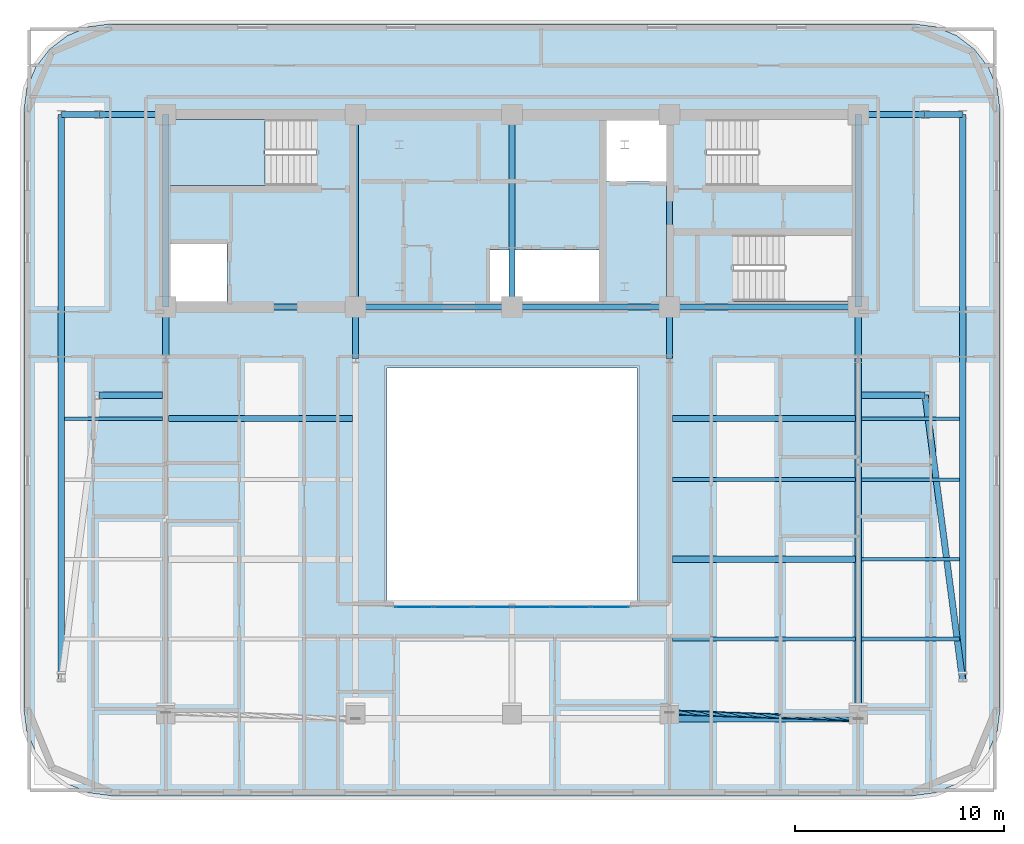
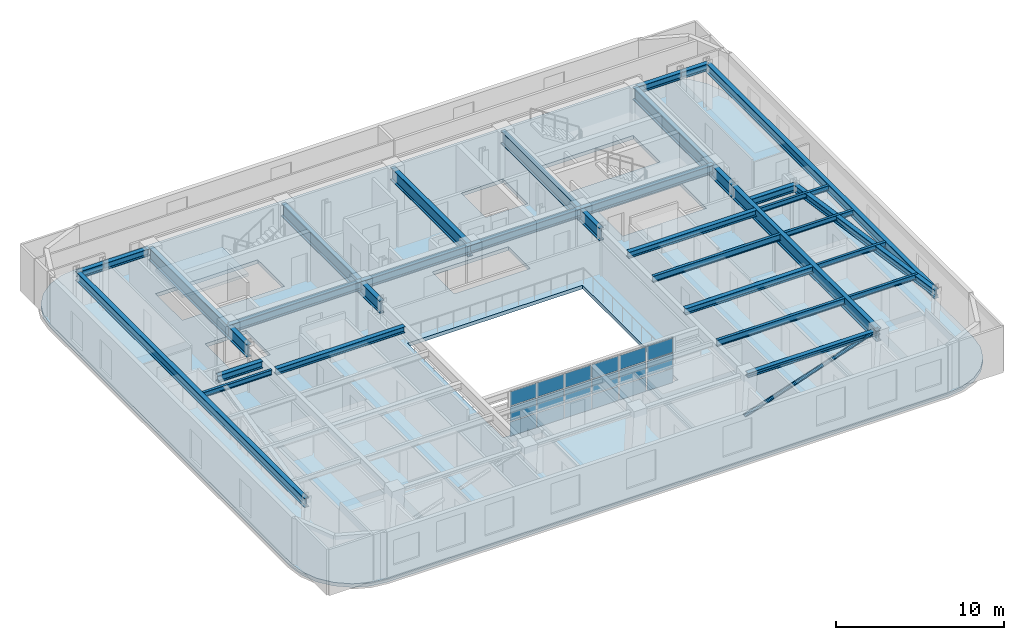
# One storey, part 3 of 15: 34 beams, 18 plates, 2 slabs, 1 member, 2 elements without a shape of their own.
"""IFC4 building model written with IfcOpenShell, lengths in metres."""

from ifc_helpers import new_model, si_unit, direction, frame, origin, origin_2d, place, context, subcontext, project, spatial, polyline, rectangle, hollow_circle, i_section, outline, extrude, material, layer, layer_set, material_profile, profile_set, type_object, element, aggregate, save


model = new_model("IFC4")

# Units and contexts
model_context = context("Model", 3, precision=1e-05, world=origin(), true_north=direction((0.0, 1.0)))
body_context = subcontext(model_context, "Body", "Model", "MODEL_VIEW")
ifc_project = project(units=[si_unit("LENGTHUNIT", "METRE"), si_unit("AREAUNIT", "SQUARE_METRE"), si_unit("VOLUMEUNIT", "CUBIC_METRE"), si_unit("PLANEANGLEUNIT", "RADIAN"), si_unit("MASSUNIT", "GRAM", prefix="KILO")], contexts=[model_context])

# Site, building, storey
site_placement = place(None, origin())
site = spatial("IfcSite", under=ifc_project, at=site_placement, CompositionType="ELEMENT")
building_placement = place(site_placement, origin())
building = spatial("IfcBuilding", under=site, at=building_placement, Name="Zarnavel Station Tower", CompositionType="ELEMENT")
storey_placement = place(building_placement, frame((0.0, 0.0, 196.800048828125)))
storey = spatial("IfcBuildingStorey", under=building, at=storey_placement, Name="L53", CompositionType="ELEMENT", Elevation=196.800048828125)

# Member
ifc_material_1 = material(Name="Steel S355J2", Category="steel")
ifc_material_profile_1 = material_profile(ifc_material_1, hollow_circle(Radius=0.122314453125, WallThickness=0.010009765625, at=origin_2d()), Name="CHS244.5x10")
ifc_profile_set_1 = profile_set([ifc_material_profile_1], Name="Steel S355J2")
member_type = type_object("IfcMemberType", Name="DB_EXT_CHS245", PredefinedType="BRACE", material=ifc_profile_set_1)
member_placement = place(storey_placement, frame((36.35009765625, 8.39404296875, 0.0), z_axis=(0.937689468376, -0.031367620071, 0.346055679491), x_axis=(0.033433332735, 0.999440949863, 0.0)))
element("IfcMember", 1, at=member_placement, inside=storey, type_object=member_type, Name="L53 Persian Exterior Diagonal Frame Brace 2", PredefinedType="BRACE", context=body_context, shape_type="SweptSolid", body=[
    extrude(hollow_circle(Radius=0.122314453125, WallThickness=0.010009765625, at=origin_2d()), origin(), (0.0, 0.0, 1.0), 9.651123046875),
])

# Beams
ifc_material_2 = material(Name="Steel S355J2", Category="steel")
ifc_material_profile_2 = material_profile(ifc_material_2, i_section(OverallWidth=0.300048828125, OverallDepth=0.320068359375, WebThickness=0.011474609375, FlangeThickness=0.0205078125, FilletRadius=0.027099609375, at=origin_2d()), Name="HEB320")
ifc_profile_set_2 = profile_set([ifc_material_profile_2], Name="Steel S355J2")
beam_type_1 = type_object("IfcBeamType", Name="EB_HEB320", PredefinedType="SPANDREL", material=ifc_profile_set_2)
beam_1_placement = place(storey_placement, frame((36.35009765625, 8.09130859375, 3.179931640625), z_axis=(1.0, 0.0, 0.0), x_axis=(0.0, 1.0, 0.0)))
element("IfcBeam", 2, at=beam_1_placement, inside=storey, type_object=beam_type_1, Name="L53 South Raked Spandrel 4", PredefinedType="SPANDREL", context=body_context, shape_type="SweptSolid", body=[
    extrude(i_section(OverallWidth=0.300048828125, OverallDepth=0.320068359375, WebThickness=0.011474609375, FlangeThickness=0.0205078125, FilletRadius=0.027099609375, at=origin_2d()), origin(), (0.0, 0.0, 1.0), 9.0498046875),
])
ifc_material_3 = material(Name="Steel S355J2", Category="steel")
ifc_material_profile_3 = material_profile(ifc_material_3, i_section(OverallWidth=0.300048828125, OverallDepth=0.43994140625, WebThickness=0.011474609375, FlangeThickness=0.02099609375, FilletRadius=0.027099609375, at=origin_2d()), Name="HEA450")
ifc_profile_set_3 = profile_set([ifc_material_profile_3], Name="Steel S355J2")
beam_type_2 = type_object("IfcBeamType", Name="FB_HEA450", PredefinedType="BEAM", material=ifc_profile_set_3)
beam_2_placement = place(storey_placement, frame((36.4951171875, 15.73486328125, 3.119873046875), z_axis=(1.0, 0.0, 0.0), x_axis=(0.0, 1.0, 0.0)))
element("IfcBeam", 3, at=beam_2_placement, inside=storey, type_object=beam_type_2, Name="L53 East Bay Beam 2", PredefinedType="BEAM", context=body_context, shape_type="SweptSolid", body=[
    extrude(i_section(OverallWidth=0.300048828125, OverallDepth=0.43994140625, WebThickness=0.011474609375, FlangeThickness=0.02099609375, FilletRadius=0.027099609375, at=origin_2d()), origin(), (0.0, 0.0, 1.0), 8.759765625),
])
beam_3_placement = place(storey_placement, frame((12.344970703125, 22.478271484375, 3.119873046875), z_axis=(1.0, 0.0, 0.0), x_axis=(0.0, 1.0, 0.0)))
element("IfcBeam", 4, at=beam_3_placement, inside=storey, type_object=beam_type_2, Name="L53 West Bay Beam 4", PredefinedType="BEAM", context=body_context, shape_type="SweptSolid", body=[
    extrude(i_section(OverallWidth=0.300048828125, OverallDepth=0.43994140625, WebThickness=0.011474609375, FlangeThickness=0.02099609375, FilletRadius=0.027099609375, at=origin_2d()), origin(), (0.0, 0.0, 1.0), 8.81005859375),
])
beam_4_placement = place(storey_placement, frame((36.4951171875, 22.478271484375, 3.119873046875), z_axis=(1.0, 0.0, 0.0), x_axis=(0.0, 1.0, 0.0)))
element("IfcBeam", 5, at=beam_4_placement, inside=storey, type_object=beam_type_2, Name="L53 East Bay Beam 4", PredefinedType="BEAM", context=body_context, shape_type="SweptSolid", body=[
    extrude(i_section(OverallWidth=0.300048828125, OverallDepth=0.43994140625, WebThickness=0.011474609375, FlangeThickness=0.02099609375, FilletRadius=0.027099609375, at=origin_2d()), origin(), (0.0, 0.0, 1.0), 8.759765625),
])
ifc_material_4 = material(Name="Steel S355J2", Category="steel")
ifc_material_profile_4 = material_profile(ifc_material_4, i_section(OverallWidth=0.18994140625, OverallDepth=0.449951171875, WebThickness=0.009521484375, FlangeThickness=0.0146484375, FilletRadius=0.02099609375, at=origin_2d()), Name="IPE450")
ifc_profile_set_4 = profile_set([ifc_material_profile_4], Name="Steel S355J2")
beam_type_3 = type_object("IfcBeamType", Name="FB_IPE450", PredefinedType="BEAM", material=ifc_profile_set_4)
for number, where, z_axis, x_axis, name in (
    (6, (36.4951171875, 11.9130859375, 3.114990234375), (1.0, 0.0, 0.0), (0.0, 1.0, 0.0), "L53 East Bay Beam 1"),
    (7, (36.4951171875, 19.556396484375, 3.114990234375), (1.0, 0.0, 0.0), (0.0, 1.0, 0.0), "L53 East Bay Beam 3"),
):
    element("IfcBeam", number, at=place(storey_placement, frame(where, z_axis=z_axis, x_axis=x_axis)), inside=storey, type_object=beam_type_3, Name=name, PredefinedType="BEAM", context=body_context, shape_type="SweptSolid", body=[
        extrude(i_section(OverallWidth=0.18994140625, OverallDepth=0.449951171875, WebThickness=0.009521484375, FlangeThickness=0.0146484375, FilletRadius=0.02099609375, at=origin_2d()), origin(), (0.0, 0.0, 1.0), 8.759765625),
    ])
ifc_material_5 = material(Name="Steel S355J2", Category="steel")
ifc_material_profile_5 = material_profile(ifc_material_5, i_section(OverallWidth=0.300048828125, OverallDepth=0.5, WebThickness=0.014404296875, FlangeThickness=0.028076171875, FilletRadius=0.027099609375, at=origin_2d()), Name="HEB500")
ifc_profile_set_5 = profile_set([ifc_material_profile_5], Name="Steel S355J2")
beam_type_4 = type_object("IfcBeamType", Name="FG_HEB500", PredefinedType="USERDEFINED", material=ifc_profile_set_5)
beam_5_placement = place(storey_placement, frame((7.199951171875, 37.050048828125, 3.08984375), z_axis=(1.0, 0.0, 0.0), x_axis=(0.0, 1.0, 0.0)))
element("IfcBeam", 8, at=beam_5_placement, inside=storey, type_object=beam_type_4, Name="L53 West Wing North Tie 1", ObjectType="GIRDER", PredefinedType="USERDEFINED", context=body_context, shape_type="SweptSolid", body=[
    extrude(i_section(OverallWidth=0.300048828125, OverallDepth=0.5, WebThickness=0.014404296875, FlangeThickness=0.028076171875, FilletRadius=0.027099609375, at=origin_2d()), origin(), (0.0, 0.0, 1.0), 1.800048828125),
])
for number, where, z_axis, x_axis, name in (
    (9, (9.0, 23.60009765625, 3.08984375), (1.0, 0.0, 0.0), (0.0, 1.0, 0.0), "L53 West Wing South Tie 2"),
    (10, (9.0, 37.050048828125, 3.08984375), (1.0, 0.0, 0.0), (0.0, 1.0, 0.0), "L53 West Wing North Tie 2"),
):
    element("IfcBeam", number, at=place(storey_placement, frame(where, z_axis=z_axis, x_axis=x_axis)), inside=storey, type_object=beam_type_4, Name=name, ObjectType="GIRDER", PredefinedType="USERDEFINED", context=body_context, shape_type="SweptSolid", body=[
        extrude(i_section(OverallWidth=0.300048828125, OverallDepth=0.5, WebThickness=0.014404296875, FlangeThickness=0.028076171875, FilletRadius=0.027099609375, at=origin_2d()), origin(), (0.0, 0.0, 1.0), 3.054931640625),
    ])
for number, where, z_axis, x_axis, name in (
    (11, (45.544921875, 23.60009765625, 3.08984375), (1.0, 0.0, 0.0), (0.0, 1.0, 0.0), "L53 East Wing South Tie 1"),
    (12, (45.544921875, 37.050048828125, 3.08984375), (1.0, 0.0, 0.0), (0.0, 1.0, 0.0), "L53 East Wing North Tie 1"),
):
    element("IfcBeam", number, at=place(storey_placement, frame(where, z_axis=z_axis, x_axis=x_axis)), inside=storey, type_object=beam_type_4, Name=name, ObjectType="GIRDER", PredefinedType="USERDEFINED", context=body_context, shape_type="SweptSolid", body=[
        extrude(i_section(OverallWidth=0.300048828125, OverallDepth=0.5, WebThickness=0.014404296875, FlangeThickness=0.028076171875, FilletRadius=0.027099609375, at=origin_2d()), origin(), (0.0, 0.0, 1.0), 3.05517578125),
    ])
beam_6_placement = place(storey_placement, frame((48.60009765625, 23.60009765625, 3.08984375), z_axis=(0.130096606703, -0.991501322704, 0.0), x_axis=(0.991501322704, 0.130096606703, 0.0)))
element("IfcBeam", 13, at=beam_6_placement, inside=storey, type_object=beam_type_4, Name="L53 East Wing South Tie 2", ObjectType="GIRDER", PredefinedType="USERDEFINED", context=body_context, shape_type="SweptSolid", body=[
    extrude(i_section(OverallWidth=0.300048828125, OverallDepth=0.5, WebThickness=0.014404296875, FlangeThickness=0.028076171875, FilletRadius=0.027099609375, at=origin_2d()), origin(), (0.0, 0.0, 1.0), 13.83447265625),
])
beam_7_placement = place(storey_placement, frame((48.60009765625, 37.050048828125, 3.08984375), z_axis=(1.0, 0.0, 0.0), x_axis=(0.0, 1.0, 0.0)))
element("IfcBeam", 14, at=beam_7_placement, inside=storey, type_object=beam_type_4, Name="L53 East Wing North Tie 2", ObjectType="GIRDER", PredefinedType="USERDEFINED", context=body_context, shape_type="SweptSolid", body=[
    extrude(i_section(OverallWidth=0.300048828125, OverallDepth=0.5, WebThickness=0.014404296875, FlangeThickness=0.028076171875, FilletRadius=0.027099609375, at=origin_2d()), origin(), (0.0, 0.0, 1.0), 1.7998046875),
])
ifc_material_6 = material(Name="Steel S355J2", Category="steel")
ifc_material_profile_6 = material_profile(ifc_material_6, i_section(OverallWidth=0.300048828125, OverallDepth=0.60009765625, WebThickness=0.015380859375, FlangeThickness=0.030029296875, FilletRadius=0.027099609375, at=origin_2d()), Name="HEB600")
ifc_profile_set_6 = profile_set([ifc_material_profile_6], Name="Steel S355J2")
beam_type_5 = type_object("IfcBeamType", Name="FG_HEB600", PredefinedType="USERDEFINED", material=ifc_profile_set_6)
beam_8_placement = place(storey_placement, frame((12.199951171875, 27.820068359375, 3.0400390625), z_axis=(1.0, 0.0, 0.0), x_axis=(0.0, 1.0, 0.0)))
element("IfcBeam", 15, at=beam_8_placement, inside=storey, type_object=beam_type_5, Name="L53 Core Front Coupling Beam 1", ObjectType="GIRDER", PredefinedType="USERDEFINED", context=body_context, shape_type="SweptSolid", body=[
    extrude(i_section(OverallWidth=0.300048828125, OverallDepth=0.60009765625, WebThickness=0.015380859375, FlangeThickness=0.030029296875, FilletRadius=0.027099609375, at=origin_2d()), origin(), (0.0, 0.0, 1.0), 9.10009765625),
])
beam_9_placement = place(storey_placement, frame((21.300048828125, 27.820068359375, 3.0400390625), z_axis=(1.0, 0.0, 0.0), x_axis=(0.0, 1.0, 0.0)))
element("IfcBeam", 16, at=beam_9_placement, inside=storey, type_object=beam_type_5, Name="L53 Core Front Coupling Beam 2", ObjectType="GIRDER", PredefinedType="USERDEFINED", context=body_context, shape_type="SweptSolid", body=[
    extrude(i_section(OverallWidth=0.300048828125, OverallDepth=0.60009765625, WebThickness=0.015380859375, FlangeThickness=0.030029296875, FilletRadius=0.027099609375, at=origin_2d()), origin(), (0.0, 0.0, 1.0), 7.5),
])
beam_10_placement = place(storey_placement, frame((28.800048828125, 27.820068359375, 3.0400390625), z_axis=(1.0, 0.0, 0.0), x_axis=(0.0, 1.0, 0.0)))
element("IfcBeam", 17, at=beam_10_placement, inside=storey, type_object=beam_type_5, Name="L53 Core Front Coupling Beam 3", ObjectType="GIRDER", PredefinedType="USERDEFINED", context=body_context, shape_type="SweptSolid", body=[
    extrude(i_section(OverallWidth=0.300048828125, OverallDepth=0.60009765625, WebThickness=0.015380859375, FlangeThickness=0.030029296875, FilletRadius=0.027099609375, at=origin_2d()), origin(), (0.0, 0.0, 1.0), 7.550048828125),
])
beam_11_placement = place(storey_placement, frame((36.35009765625, 27.820068359375, 3.0400390625), z_axis=(1.0, 0.0, 0.0), x_axis=(0.0, 1.0, 0.0)))
element("IfcBeam", 18, at=beam_11_placement, inside=storey, type_object=beam_type_5, Name="L53 Core Front Coupling Beam 4", ObjectType="GIRDER", PredefinedType="USERDEFINED", context=body_context, shape_type="SweptSolid", body=[
    extrude(i_section(OverallWidth=0.300048828125, OverallDepth=0.60009765625, WebThickness=0.015380859375, FlangeThickness=0.030029296875, FilletRadius=0.027099609375, at=origin_2d()), origin(), (0.0, 0.0, 1.0), 9.0498046875),
])
ifc_material_7 = material(Name="Steel S355J2", Category="steel")
ifc_material_profile_7 = material_profile(ifc_material_7, i_section(OverallWidth=0.300048828125, OverallDepth=0.64990234375, WebThickness=0.01611328125, FlangeThickness=0.031005859375, FilletRadius=0.027099609375, at=origin_2d()), Name="HEB650")
ifc_profile_set_7 = profile_set([ifc_material_profile_7], Name="Steel S355J2")
beam_type_6 = type_object("IfcBeamType", Name="FG_HEB650", PredefinedType="USERDEFINED", material=ifc_profile_set_7)
for number, where, z_axis, x_axis, name in (
    (19, (7.199951171875, 9.88330078125, 3.014892578125), (0.0, 1.0, 0.0), (-1.0, 0.0, 0.0), "L53 Wing NS Girder 1"),
    (20, (50.39990234375, 9.88330078125, 3.014892578125), (0.0, 1.0, 0.0), (-1.0, 0.0, 0.0), "L53 Wing NS Girder 2"),
):
    element("IfcBeam", number, at=place(storey_placement, frame(where, z_axis=z_axis, x_axis=x_axis)), inside=storey, type_object=beam_type_6, Name=name, ObjectType="GIRDER", PredefinedType="USERDEFINED", context=body_context, shape_type="SweptSolid", body=[
        extrude(i_section(OverallWidth=0.300048828125, OverallDepth=0.64990234375, WebThickness=0.01611328125, FlangeThickness=0.031005859375, FilletRadius=0.027099609375, at=origin_2d()), origin(), (0.0, 0.0, 1.0), 27.166748046875),
    ])
ifc_material_8 = material(Name="Steel S355J2", Category="steel")
ifc_material_profile_8 = material_profile(ifc_material_8, i_section(OverallWidth=0.300048828125, OverallDepth=0.89990234375, WebThickness=0.0185546875, FlangeThickness=0.034912109375, FilletRadius=0.030029296875, at=origin_2d()), Name="HEB900")
ifc_profile_set_8 = profile_set([ifc_material_profile_8], Name="Steel S355J2")
beam_type_7 = type_object("IfcBeamType", Name="FG_HEB900", PredefinedType="USERDEFINED", material=ifc_profile_set_8)
for number, where, z_axis, x_axis, name in (
    (21, (12.199951171875, 25.35009765625, 2.889892578125), (0.0, 1.0, 0.0), (-1.0, 0.0, 0.0), "L53 Inner-Zone NS Girder 1"),
    (22, (21.300048828125, 25.35009765625, 2.889892578125), (0.0, 1.0, 0.0), (-1.0, 0.0, 0.0), "L53 Inner-Zone NS Girder 2"),
    (23, (36.35009765625, 25.35009765625, 2.889892578125), (0.0, 1.0, 0.0), (-1.0, 0.0, 0.0), "L53 Inner-Zone NS Girder 4"),
):
    element("IfcBeam", number, at=place(storey_placement, frame(where, z_axis=z_axis, x_axis=x_axis)), inside=storey, type_object=beam_type_7, Name=name, ObjectType="GIRDER", PredefinedType="USERDEFINED", context=body_context, shape_type="SweptSolid", body=[
        extrude(i_section(OverallWidth=0.300048828125, OverallDepth=0.89990234375, WebThickness=0.0185546875, FlangeThickness=0.034912109375, FilletRadius=0.030029296875, at=origin_2d()), origin(), (0.0, 0.0, 1.0), 2.469970703125),
    ])
beam_12_placement = place(storey_placement, frame((45.39990234375, 8.09130859375, 2.889892578125), z_axis=(0.0, 1.0, 0.0), x_axis=(-1.0, 0.0, 0.0)))
element("IfcBeam", 24, at=beam_12_placement, inside=storey, type_object=beam_type_7, Name="L53 South-Zone NS Girder 5", ObjectType="GIRDER", PredefinedType="USERDEFINED", context=body_context, shape_type="SweptSolid", body=[
    extrude(i_section(OverallWidth=0.300048828125, OverallDepth=0.89990234375, WebThickness=0.0185546875, FlangeThickness=0.034912109375, FilletRadius=0.030029296875, at=origin_2d()), origin(), (0.0, 0.0, 1.0), 17.2587890625),
])
beam_13_placement = place(storey_placement, frame((45.39990234375, 25.35009765625, 2.889892578125), z_axis=(0.0, 1.0, 0.0), x_axis=(-1.0, 0.0, 0.0)))
element("IfcBeam", 25, at=beam_13_placement, inside=storey, type_object=beam_type_7, Name="L53 Inner-Zone NS Girder 5", ObjectType="GIRDER", PredefinedType="USERDEFINED", context=body_context, shape_type="SweptSolid", body=[
    extrude(i_section(OverallWidth=0.300048828125, OverallDepth=0.89990234375, WebThickness=0.0185546875, FlangeThickness=0.034912109375, FilletRadius=0.030029296875, at=origin_2d()), origin(), (0.0, 0.0, 1.0), 2.469970703125),
])
ifc_material_9 = material(Name="Steel S355J2", Category="steel")
ifc_material_profile_9 = material_profile(ifc_material_9, i_section(OverallWidth=0.169921875, OverallDepth=0.360107421875, WebThickness=0.008056640625, FlangeThickness=0.0126953125, FilletRadius=0.01806640625, at=origin_2d()), Name="IPE360")
ifc_profile_set_9 = profile_set([ifc_material_profile_9], Name="Steel S355J2")
beam_type_8 = type_object("IfcBeamType", Name="FJ_IPE360", PredefinedType="JOIST", material=ifc_profile_set_9)
for number, where, z_axis, x_axis, name in (
    (26, (45.544921875, 11.9130859375, 3.159912109375), (1.0, 0.0, 0.0), (0.0, 1.0, 0.0), "L53 East Wing Joist 1"),
    (27, (45.544921875, 15.73486328125, 3.159912109375), (1.0, 0.0, 0.0), (0.0, 1.0, 0.0), "L53 East Wing Joist 2"),
    (28, (45.544921875, 19.556396484375, 3.159912109375), (1.0, 0.0, 0.0), (0.0, 1.0, 0.0), "L53 East Wing Joist 3"),
    (29, (7.344970703125, 22.478271484375, 3.159912109375), (1.0, 0.0, 0.0), (0.0, 1.0, 0.0), "L53 West Wing Joist 4"),
    (30, (45.544921875, 22.478271484375, 3.159912109375), (1.0, 0.0, 0.0), (0.0, 1.0, 0.0), "L53 East Wing Joist 4"),
):
    element("IfcBeam", number, at=place(storey_placement, frame(where, z_axis=z_axis, x_axis=x_axis)), inside=storey, type_object=beam_type_8, Name=name, PredefinedType="JOIST", context=body_context, shape_type="SweptSolid", body=[
        extrude(i_section(OverallWidth=0.169921875, OverallDepth=0.360107421875, WebThickness=0.008056640625, FlangeThickness=0.0126953125, FilletRadius=0.01806640625, at=origin_2d()), origin(), (0.0, 0.0, 1.0), 4.7099609375),
    ])
ifc_material_10 = material(Name="Steel S460M", Category="steel")
ifc_material_profile_10 = material_profile(ifc_material_10, i_section(OverallWidth=0.302001953125, OverallDepth=0.909912109375, WebThickness=0.02099609375, FlangeThickness=0.0400390625, FilletRadius=0.030029296875, at=origin_2d()), Name="HEM900")
ifc_profile_set_10 = profile_set([ifc_material_profile_10], Name="Steel S460M")
beam_type_9 = type_object("IfcBeamType", Name="TG_HEM900", PredefinedType="USERDEFINED", material=ifc_profile_set_10)
for number, where, z_axis, x_axis, name in (
    (31, (12.199951171875, 27.820068359375, 2.885009765625), (0.0, 1.0, 0.0), (-1.0, 0.0, 0.0), "L53 Core Spine Coupling Girder 1"),
    (32, (21.300048828125, 27.820068359375, 2.885009765625), (0.0, 1.0, 0.0), (-1.0, 0.0, 0.0), "L53 Core Spine Coupling Girder 2"),
    (33, (28.800048828125, 27.820068359375, 2.885009765625), (0.0, 1.0, 0.0), (-1.0, 0.0, 0.0), "L53 Core Spine Coupling Girder 3"),
    (34, (36.35009765625, 27.820068359375, 2.885009765625), (0.0, 1.0, 0.0), (-1.0, 0.0, 0.0), "L53 Core Spine Coupling Girder 4"),
    (35, (45.39990234375, 27.820068359375, 2.885009765625), (0.0, 1.0, 0.0), (-1.0, 0.0, 0.0), "L53 Core Spine Coupling Girder 5"),
):
    element("IfcBeam", number, at=place(storey_placement, frame(where, z_axis=z_axis, x_axis=x_axis)), inside=storey, type_object=beam_type_9, Name=name, ObjectType="GIRDER", PredefinedType="USERDEFINED", context=body_context, shape_type="SweptSolid", body=[
        extrude(i_section(OverallWidth=0.302001953125, OverallDepth=0.909912109375, WebThickness=0.02099609375, FlangeThickness=0.0400390625, FilletRadius=0.030029296875, at=origin_2d()), origin(), (0.0, 0.0, 1.0), 9.22998046875),
    ])

# Curtain wall, plates
ifc_material_11 = material(Name="Aluminium Dark Anodised and Solar-Control Glass", Category="aluminium")
ifc_layer_1 = layer(ifc_material_11, 0.179931640625)
ifc_layer_set_1 = layer_set([ifc_layer_1], Name="CWS5")
curtain_wall_type = type_object("IfcCurtainWallType", Name="CWS5", PredefinedType="NOTDEFINED", material=ifc_layer_set_1)
curtain_wall_placement = place(storey_placement, origin())
curtain_wall = element("IfcCurtainWall", 36, at=curtain_wall_placement, inside=storey, type_object=curtain_wall_type, Name="L53 Curtain Wall CWS5-L53-AS", PredefinedType="NOTDEFINED")
ifc_material_12 = material(Name="Double Low-E Dark Solar-Control Glass", Category="glass")
ifc_layer_2 = layer(ifc_material_12, 0.033935546875)
ifc_layer_set_2 = layer_set([ifc_layer_2], Name="CWS5_PNL")
plate_type = type_object("IfcPlateType", Name="CWS5_PNL", PredefinedType="CURTAIN_PANEL", material=ifc_layer_set_2)
plate_1_placement = place(storey_placement, frame((24.106689453125, 13.449951171875, 0.06005859375), z_axis=(0.0, 0.0, 1.0), x_axis=(1.0, 0.0, 0.0)))
plate_1 = element("IfcPlate", 37, at=plate_1_placement, type_object=plate_type, Name="CW5 panel 1.1", PredefinedType="CURTAIN_PANEL", context=body_context, shape_type="SweptSolid", body=[
    extrude(rectangle(XDim=1.793212890625, YDim=0.028076171875, at=origin_2d()), origin(), (0.0, 0.0, 1.0), 1.023193359375),
])
plate_2_placement = place(storey_placement, frame((24.106689453125, 13.449951171875, 1.14306640625), z_axis=(0.0, 0.0, 1.0), x_axis=(1.0, 0.0, 0.0)))
plate_2 = element("IfcPlate", 38, at=plate_2_placement, type_object=plate_type, Name="CW5 panel 1.2", PredefinedType="CURTAIN_PANEL", context=body_context, shape_type="SweptSolid", body=[
    extrude(rectangle(XDim=1.793212890625, YDim=0.028076171875, at=origin_2d()), origin(), (0.0, 0.0, 1.0), 1.053466796875),
])
plate_3_placement = place(storey_placement, frame((24.106689453125, 13.449951171875, 2.2568359375), z_axis=(0.0, 0.0, 1.0), x_axis=(1.0, 0.0, 0.0)))
plate_3 = element("IfcPlate", 39, at=plate_3_placement, type_object=plate_type, Name="CW5 panel 1.3", PredefinedType="CURTAIN_PANEL", context=body_context, shape_type="SweptSolid", body=[
    extrude(rectangle(XDim=1.793212890625, YDim=0.028076171875, at=origin_2d()), origin(), (0.0, 0.0, 1.0), 1.023193359375),
])
plate_4_placement = place(storey_placement, frame((25.97509765625, 13.449951171875, 0.06005859375), z_axis=(0.0, 0.0, 1.0), x_axis=(1.0, 0.0, 0.0)))
plate_4 = element("IfcPlate", 40, at=plate_4_placement, type_object=plate_type, Name="CW5 panel 2.1", PredefinedType="CURTAIN_PANEL", context=body_context, shape_type="SweptSolid", body=[
    extrude(rectangle(XDim=1.8232421875, YDim=0.028076171875, at=origin_2d()), origin(), (0.0, 0.0, 1.0), 1.023193359375),
])
plate_5_placement = place(storey_placement, frame((25.97509765625, 13.449951171875, 1.14306640625), z_axis=(0.0, 0.0, 1.0), x_axis=(1.0, 0.0, 0.0)))
plate_5 = element("IfcPlate", 41, at=plate_5_placement, type_object=plate_type, Name="CW5 panel 2.2", PredefinedType="CURTAIN_PANEL", context=body_context, shape_type="SweptSolid", body=[
    extrude(rectangle(XDim=1.8232421875, YDim=0.028076171875, at=origin_2d()), origin(), (0.0, 0.0, 1.0), 1.053466796875),
])
plate_6_placement = place(storey_placement, frame((25.97509765625, 13.449951171875, 2.2568359375), z_axis=(0.0, 0.0, 1.0), x_axis=(1.0, 0.0, 0.0)))
plate_6 = element("IfcPlate", 42, at=plate_6_placement, type_object=plate_type, Name="CW5 panel 2.3", PredefinedType="CURTAIN_PANEL", context=body_context, shape_type="SweptSolid", body=[
    extrude(rectangle(XDim=1.8232421875, YDim=0.028076171875, at=origin_2d()), origin(), (0.0, 0.0, 1.0), 1.023193359375),
])
plate_7_placement = place(storey_placement, frame((27.8583984375, 13.449951171875, 0.06005859375), z_axis=(0.0, 0.0, 1.0), x_axis=(1.0, 0.0, 0.0)))
plate_7 = element("IfcPlate", 43, at=plate_7_placement, type_object=plate_type, Name="CW5 panel 3.1", PredefinedType="CURTAIN_PANEL", context=body_context, shape_type="SweptSolid", body=[
    extrude(rectangle(XDim=1.8232421875, YDim=0.028076171875, at=origin_2d()), origin(), (0.0, 0.0, 1.0), 1.023193359375),
])
plate_8_placement = place(storey_placement, frame((27.8583984375, 13.449951171875, 1.14306640625), z_axis=(0.0, 0.0, 1.0), x_axis=(1.0, 0.0, 0.0)))
plate_8 = element("IfcPlate", 44, at=plate_8_placement, type_object=plate_type, Name="CW5 panel 3.2", PredefinedType="CURTAIN_PANEL", context=body_context, shape_type="SweptSolid", body=[
    extrude(rectangle(XDim=1.8232421875, YDim=0.028076171875, at=origin_2d()), origin(), (0.0, 0.0, 1.0), 1.053466796875),
])
plate_9_placement = place(storey_placement, frame((27.8583984375, 13.449951171875, 2.2568359375), z_axis=(0.0, 0.0, 1.0), x_axis=(1.0, 0.0, 0.0)))
plate_9 = element("IfcPlate", 45, at=plate_9_placement, type_object=plate_type, Name="CW5 panel 3.3", PredefinedType="CURTAIN_PANEL", context=body_context, shape_type="SweptSolid", body=[
    extrude(rectangle(XDim=1.8232421875, YDim=0.028076171875, at=origin_2d()), origin(), (0.0, 0.0, 1.0), 1.023193359375),
])
plate_10_placement = place(storey_placement, frame((29.74169921875, 13.449951171875, 0.06005859375), z_axis=(0.0, 0.0, 1.0), x_axis=(1.0, 0.0, 0.0)))
plate_10 = element("IfcPlate", 46, at=plate_10_placement, type_object=plate_type, Name="CW5 panel 4.1", PredefinedType="CURTAIN_PANEL", context=body_context, shape_type="SweptSolid", body=[
    extrude(rectangle(XDim=1.8232421875, YDim=0.028076171875, at=origin_2d()), origin(), (0.0, 0.0, 1.0), 1.023193359375),
])
plate_11_placement = place(storey_placement, frame((29.74169921875, 13.449951171875, 1.14306640625), z_axis=(0.0, 0.0, 1.0), x_axis=(1.0, 0.0, 0.0)))
plate_11 = element("IfcPlate", 47, at=plate_11_placement, type_object=plate_type, Name="CW5 panel 4.2", PredefinedType="CURTAIN_PANEL", context=body_context, shape_type="SweptSolid", body=[
    extrude(rectangle(XDim=1.8232421875, YDim=0.028076171875, at=origin_2d()), origin(), (0.0, 0.0, 1.0), 1.053466796875),
])
plate_12_placement = place(storey_placement, frame((29.74169921875, 13.449951171875, 2.2568359375), z_axis=(0.0, 0.0, 1.0), x_axis=(1.0, 0.0, 0.0)))
plate_12 = element("IfcPlate", 48, at=plate_12_placement, type_object=plate_type, Name="CW5 panel 4.3", PredefinedType="CURTAIN_PANEL", context=body_context, shape_type="SweptSolid", body=[
    extrude(rectangle(XDim=1.8232421875, YDim=0.028076171875, at=origin_2d()), origin(), (0.0, 0.0, 1.0), 1.023193359375),
])
plate_13_placement = place(storey_placement, frame((31.625, 13.449951171875, 0.06005859375), z_axis=(0.0, 0.0, 1.0), x_axis=(1.0, 0.0, 0.0)))
plate_13 = element("IfcPlate", 49, at=plate_13_placement, type_object=plate_type, Name="CW5 panel 5.1", PredefinedType="CURTAIN_PANEL", context=body_context, shape_type="SweptSolid", body=[
    extrude(rectangle(XDim=1.8232421875, YDim=0.028076171875, at=origin_2d()), origin(), (0.0, 0.0, 1.0), 1.023193359375),
])
plate_14_placement = place(storey_placement, frame((31.625, 13.449951171875, 1.14306640625), z_axis=(0.0, 0.0, 1.0), x_axis=(1.0, 0.0, 0.0)))
plate_14 = element("IfcPlate", 50, at=plate_14_placement, type_object=plate_type, Name="CW5 panel 5.2", PredefinedType="CURTAIN_PANEL", context=body_context, shape_type="SweptSolid", body=[
    extrude(rectangle(XDim=1.8232421875, YDim=0.028076171875, at=origin_2d()), origin(), (0.0, 0.0, 1.0), 1.053466796875),
])
plate_15_placement = place(storey_placement, frame((31.625, 13.449951171875, 2.2568359375), z_axis=(0.0, 0.0, 1.0), x_axis=(1.0, 0.0, 0.0)))
plate_15 = element("IfcPlate", 51, at=plate_15_placement, type_object=plate_type, Name="CW5 panel 5.3", PredefinedType="CURTAIN_PANEL", context=body_context, shape_type="SweptSolid", body=[
    extrude(rectangle(XDim=1.8232421875, YDim=0.028076171875, at=origin_2d()), origin(), (0.0, 0.0, 1.0), 1.023193359375),
])
plate_16_placement = place(storey_placement, frame((33.493408203125, 13.449951171875, 0.06005859375), z_axis=(0.0, 0.0, 1.0), x_axis=(1.0, 0.0, 0.0)))
plate_16 = element("IfcPlate", 52, at=plate_16_placement, type_object=plate_type, Name="CW5 panel 6.1", PredefinedType="CURTAIN_PANEL", context=body_context, shape_type="SweptSolid", body=[
    extrude(rectangle(XDim=1.793212890625, YDim=0.028076171875, at=origin_2d()), origin(), (0.0, 0.0, 1.0), 1.023193359375),
])
plate_17_placement = place(storey_placement, frame((33.493408203125, 13.449951171875, 1.14306640625), z_axis=(0.0, 0.0, 1.0), x_axis=(1.0, 0.0, 0.0)))
plate_17 = element("IfcPlate", 53, at=plate_17_placement, type_object=plate_type, Name="CW5 panel 6.2", PredefinedType="CURTAIN_PANEL", context=body_context, shape_type="SweptSolid", body=[
    extrude(rectangle(XDim=1.793212890625, YDim=0.028076171875, at=origin_2d()), origin(), (0.0, 0.0, 1.0), 1.053466796875),
])
plate_18_placement = place(storey_placement, frame((33.493408203125, 13.449951171875, 2.2568359375), z_axis=(0.0, 0.0, 1.0), x_axis=(1.0, 0.0, 0.0)))
plate_18 = element("IfcPlate", 54, at=plate_18_placement, type_object=plate_type, Name="CW5 panel 6.3", PredefinedType="CURTAIN_PANEL", context=body_context, shape_type="SweptSolid", body=[
    extrude(rectangle(XDim=1.793212890625, YDim=0.028076171875, at=origin_2d()), origin(), (0.0, 0.0, 1.0), 1.023193359375),
])
aggregate(curtain_wall, [plate_1, plate_2, plate_3, plate_4, plate_5, plate_6, plate_7, plate_8, plate_9, plate_10, plate_11, plate_12, plate_13, plate_14, plate_15, plate_16, plate_17, plate_18])

# Slab
ifc_material_13 = material(Name="Concrete C45/55", Category="concrete")
ifc_layer_3 = layer(ifc_material_13, 0.260009765625)
ifc_layer_set_3 = layer_set([ifc_layer_3], Name="SL_FLR_260")
slab_type_1 = type_object("IfcSlabType", Name="SL_FLR_260", PredefinedType="FLOOR", material=ifc_layer_set_3)
slab_1_placement = place(storey_placement, frame((0.0, 0.0, -0.260009765625)))
element("IfcSlab", 55, at=slab_1_placement, inside=storey, type_object=slab_type_1, Name="L53 Structural Floor Slab", PredefinedType="FLOOR", context=body_context, shape_type="SweptSolid", body=[
    extrude(outline(polyline([(48.0, 4.39990234375), (49.0869140625, 4.543212890625), (50.10009765625, 4.962646484375), (50.9697265625, 5.630126953125), (51.63720703125, 6.5), (52.056884765625, 7.512939453125), (52.199951171875, 8.60009765625), (52.199951171875, 37.199951171875), (52.056884765625, 38.287109375), (51.63720703125, 39.300048828125), (50.9697265625, 40.169921875), (50.10009765625, 40.83740234375), (49.0869140625, 41.2568359375), (48.0, 41.39990234375), (9.60009765625, 41.39990234375), (8.512939453125, 41.2568359375), (7.5, 40.83740234375), (6.630126953125, 40.169921875), (5.962646484375, 39.300048828125), (5.543212890625, 38.287109375), (5.39990234375, 37.199951171875), (5.39990234375, 8.60009765625), (5.543212890625, 7.512939453125), (5.962646484375, 6.5), (6.630126953125, 5.630126953125), (7.5, 4.962646484375), (8.512939453125, 4.543212890625), (9.60009765625, 4.39990234375), (48.0, 4.39990234375)]), holes=[polyline([(12.39990234375, 33.659912109375), (19.409912109375, 33.659912109375), (19.409912109375, 36.820068359375), (12.39990234375, 36.820068359375), (12.39990234375, 33.659912109375)]), polyline([(38.14990234375, 33.659912109375), (45.159912109375, 33.659912109375), (45.159912109375, 36.820068359375), (38.14990234375, 36.820068359375), (38.14990234375, 33.659912109375)]), polyline([(39.419921875, 28.1201171875), (45.14990234375, 28.1201171875), (45.14990234375, 31.280029296875), (39.419921875, 31.280029296875), (39.419921875, 28.1201171875)]), polyline([(12.35009765625, 27.949951171875), (15.14990234375, 27.949951171875), (15.14990234375, 30.85009765625), (12.35009765625, 30.85009765625), (12.35009765625, 27.949951171875)]), polyline([(33.320068359375, 33.85009765625), (36.2099609375, 33.85009765625), (36.2099609375, 36.780029296875), (33.320068359375, 36.780029296875), (33.320068359375, 33.85009765625)]), polyline([(27.75, 27.949951171875), (32.97998046875, 27.949951171875), (32.97998046875, 30.550048828125), (27.75, 30.550048828125), (27.75, 27.949951171875)]), polyline([(22.800048828125, 13.60009765625), (34.800048828125, 13.60009765625), (34.800048828125, 24.89990234375), (22.800048828125, 24.89990234375), (22.800048828125, 13.60009765625)])]), origin(), (0.0, 0.0, 1.0), 0.260009765625),
])

# Stair, slab
ifc_material_14 = material(Name="Concrete C45/55", Category="concrete")
stair_type = type_object("IfcStairType", Name="ST_CORE_150", PredefinedType="HALF_TURN_STAIR", material=ifc_material_14)
stair_placement = place(storey_placement, origin())
stair = element("IfcStair", 56, at=stair_placement, inside=storey, type_object=stair_type, Name="L53 Core Exit Stair ST1", PredefinedType="HALF_TURN_STAIR")
ifc_material_15 = material(Name="Concrete C45/55", Category="concrete")
ifc_layer_4 = layer(ifc_material_15, 0.199951171875)
ifc_layer_set_4 = layer_set([ifc_layer_4], Name="SL_STAIR_LAND_200")
slab_type_2 = type_object("IfcSlabType", Name="SL_STAIR_LAND_200", PredefinedType="LANDING", material=ifc_layer_set_4)
slab_2_placement = place(storey_placement, frame((0.0, 0.0, 1.599853515625)))
slab_2 = element("IfcSlab", 57, at=slab_2_placement, type_object=slab_type_2, Name="ST1 landing 1", PredefinedType="LANDING", context=body_context, shape_type="SweptSolid", body=[
    extrude(outline(polyline([(16.9599609375, 36.820068359375), (12.39990234375, 36.820068359375), (12.39990234375, 33.659912109375), (16.9599609375, 33.659912109375), (16.9599609375, 36.820068359375)])), origin(), (0.0, 0.0, 1.0), 0.2001953125),
])
aggregate(stair, [slab_2])

save(model, "model.ifc")
